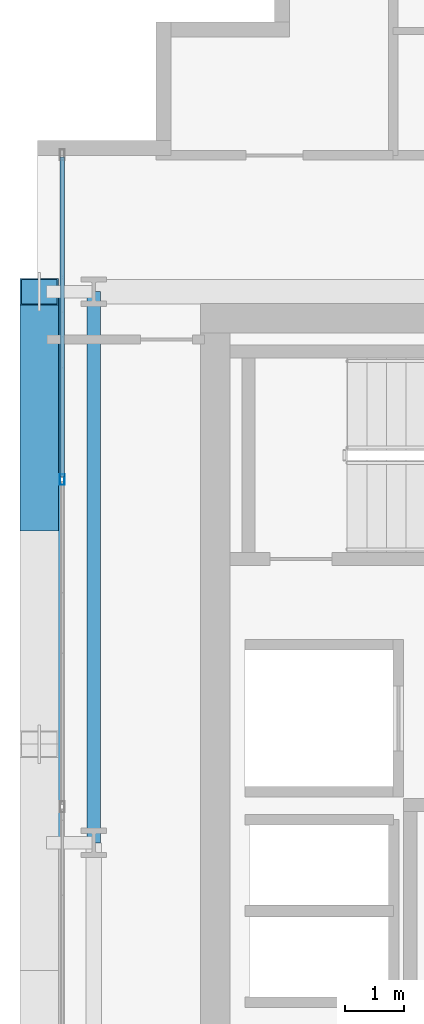
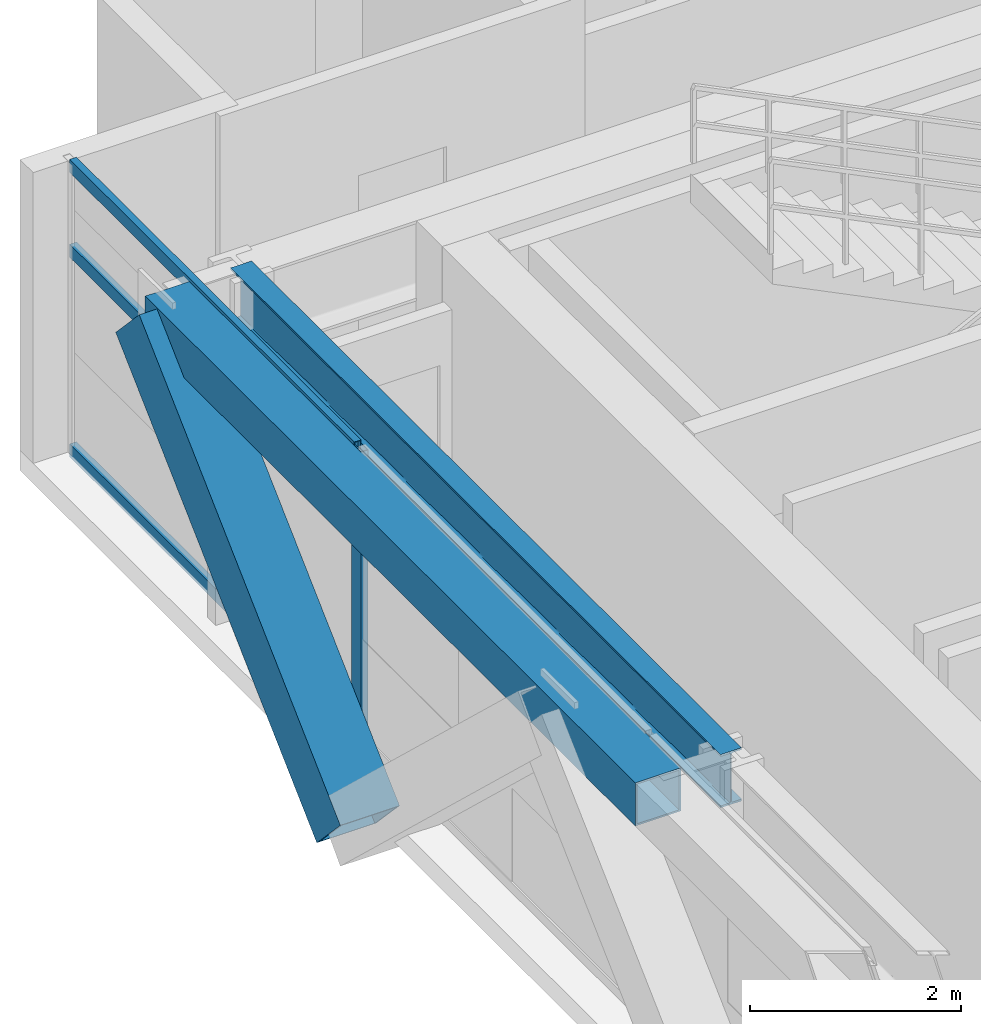
# One storey, part 8 of 32: 5 members, 2 beams, 1 element without a shape of its own.
"""IFC4 building model written with IfcOpenShell, lengths in metres."""

from ifc_helpers import new_model, si_unit, direction, frame, origin, origin_2d, place, context, subcontext, project, spatial, hollow_rectangle, i_section, extrude, source, transform, mapped, material, layer, layer_set, material_profile, profile_set, type_object, element, aggregate, save


model = new_model("IFC4")

# Units and contexts
model_context = context("Model", 3, precision=1e-05, world=origin(), true_north=direction((0.0, 1.0)))
body_context = subcontext(model_context, "Body", "Model", "MODEL_VIEW")
ifc_project = project(units=[si_unit("LENGTHUNIT", "METRE"), si_unit("AREAUNIT", "SQUARE_METRE"), si_unit("VOLUMEUNIT", "CUBIC_METRE"), si_unit("PLANEANGLEUNIT", "RADIAN"), si_unit("MASSUNIT", "GRAM", prefix="KILO")], contexts=[model_context])

# Site, building, storey
site_placement = place(None, origin())
site = spatial("IfcSite", under=ifc_project, at=site_placement, CompositionType="ELEMENT")
building_placement = place(site_placement, origin())
building = spatial("IfcBuilding", under=site, at=building_placement, Name="Ocotamira Hotel", CompositionType="ELEMENT")
storey_placement = place(building_placement, frame((0.0, 0.0, 213.60009765625)))
storey = spatial("IfcBuildingStorey", under=building, at=storey_placement, Name="L54", CompositionType="ELEMENT", Elevation=213.60009765625)

# Beams
ifc_material_1 = material(Name="Steel ASTM A992 Grade 50", Category="steel")
ifc_material_profile_1 = material_profile(ifc_material_1, i_section(OverallWidth=0.22998046875, OverallDepth=0.616943359375, WebThickness=0.01318359375, FlangeThickness=0.022216796875, FilletRadius=0.012939453125, at=origin_2d()), Name="W24X94")
ifc_profile_set_1 = profile_set([ifc_material_profile_1], Name="Steel ASTM A992 Grade 50")
beam_type_1 = type_object("IfcBeamType", Name="BM-PRIM-W24X94", PredefinedType="BEAM", material=ifc_profile_set_1)
shared_shape_1 = source(origin(), body_context, "Body", "SweptSolid", [
    extrude(i_section(OverallWidth=0.22998046875, OverallDepth=0.616943359375, WebThickness=0.01318359375, FlangeThickness=0.022216796875, FilletRadius=0.012939453125, at=origin_2d()), origin(), (0.0, 0.0, 1.0), 9.300048828125),
])
beam_1_placement = place(storey_placement, frame((8.949951171875, 28.14990234375, 3.0615234375), z_axis=(0.0, 1.0, 0.0), x_axis=(-1.0, 0.0, 0.0)))
element("IfcBeam", 1, at=beam_1_placement, inside=storey, type_object=beam_type_1, Name="L54 Beam X8.95 Y28.15-37.45", PredefinedType="BEAM", context=body_context, shape_type="MappedRepresentation", body=[
    mapped(shared_shape_1, transform((0.0, 0.0, 0.0), scale=1.0)),
])
ifc_material_2 = material(Name="Steel ASTM A500 Grade C", Category="steel")
ifc_material_profile_2 = material_profile(ifc_material_2, hollow_rectangle(XDim=0.5, YDim=0.5, WallThickness=0.02001953125, at=origin_2d()), Name="HSS500X500X20")
ifc_profile_set_2 = profile_set([ifc_material_profile_2], Name="Steel ASTM A500 Grade C")
beam_type_2 = type_object("IfcBeamType", Name="BM-SPAN-HSS500", PredefinedType="USERDEFINED", material=ifc_profile_set_2)
shared_shape_2 = source(origin(), body_context, "Body", "SweptSolid", [
    extrude(hollow_rectangle(XDim=0.5, YDim=0.5, WallThickness=0.02001953125, at=origin_2d()), origin(), (0.0, 0.0, 1.0), 9.300048828125),
])
beam_2_placement = place(storey_placement, frame((8.14990234375, 28.14990234375, 3.119873046875), z_axis=(0.0, 1.0, 0.0), x_axis=(-1.0, 0.0, 0.0)))
element("IfcBeam", 2, at=beam_2_placement, inside=storey, type_object=beam_type_2, Name="L54 Edge Spandrel W Y28.15-37.45", ObjectType="SPANDREL", PredefinedType="USERDEFINED", context=body_context, shape_type="MappedRepresentation", body=[
    mapped(shared_shape_2, transform((0.0, 0.0, 0.0), scale=1.0)),
])

# Member
ifc_material_3 = material(Name="Pale-metal coated steel ASTM A913 Grade 65", Category="steel")
ifc_material_profile_3 = material_profile(ifc_material_3, hollow_rectangle(XDim=0.64990234375, YDim=0.64990234375, WallThickness=0.02197265625, at=origin_2d()), Name="BOX650X650X22")
ifc_profile_set_3 = profile_set([ifc_material_profile_3], Name="Pale-metal coated steel ASTM A913 Grade 65")
member_type_1 = type_object("IfcMemberType", Name="MEM-EXO-BOX650", PredefinedType="BRACE", material=ifc_profile_set_3)
shared_shape_3 = source(origin(), body_context, "Body", "SweptSolid", [
    extrude(hollow_rectangle(XDim=0.64990234375, YDim=0.64990234375, WallThickness=0.02197265625, at=origin_2d()), origin(), (0.0, 0.0, 1.0), 5.24658203125),
])
member_1_placement = place(storey_placement, frame((8.030029296875, 33.63330078125, -0.47998046875), z_axis=(0.0, 0.72746596067, 0.686143772154), x_axis=(-1.0, 0.0, 0.0)))
element("IfcMember", 3, at=member_1_placement, inside=storey, type_object=member_type_1, Name="L54 Exoskeleton Diagrid W2.2", PredefinedType="BRACE", context=body_context, shape_type="MappedRepresentation", body=[
    mapped(shared_shape_3, transform((0.0, 0.0, 0.0), scale=1.0)),
])

# Curtain wall, members
ifc_material_4 = material(Name="Anodised pale-metal aluminium and solar glass", Category="aluminium")
ifc_layer = layer(ifc_material_4, 0.199951171875)
ifc_layer_set = layer_set([ifc_layer], Name="Anodised pale-metal aluminium and solar glass")
curtain_wall_type = type_object("IfcCurtainWallType", Name="CW-SYS4-Z3", PredefinedType="NOTDEFINED", material=ifc_layer_set)
curtain_wall_placement = place(storey_placement, origin())
curtain_wall = element("IfcCurtainWall", 4, at=curtain_wall_placement, inside=storey, type_object=curtain_wall_type, Name="L54 Curtain Wall CW-4 CW-L54-W", PredefinedType="NOTDEFINED")
ifc_material_5 = material(Name="Anodised pale-metal aluminium 6063-T6", Category="aluminium")
ifc_material_profile_4 = material_profile(ifc_material_5, hollow_rectangle(XDim=0.074951171875, YDim=0.14990234375, WallThickness=0.006103515625, at=origin_2d()), Name="HSS150X75X6")
ifc_profile_set_4 = profile_set([ifc_material_profile_4], Name="Anodised pale-metal aluminium 6063-T6")
member_type_2 = type_object("IfcMemberType", Name="CWT-150X75", PredefinedType="USERDEFINED", material=ifc_profile_set_4)
shared_shape_4 = source(origin(), body_context, "Body", "SweptSolid", [
    extrude(hollow_rectangle(XDim=0.074951171875, YDim=0.14990234375, WallThickness=0.006103515625, at=origin_2d()), origin(), (0.0, 0.0, 1.0), 5.39990234375),
])
member_2_placement = place(storey_placement, frame((8.419921875, 34.320068359375, 0.037353515625), z_axis=(0.0, 1.0, 0.0), x_axis=(-1.0, 0.0, 0.0)))
member_2 = element("IfcMember", 5, at=member_2_placement, type_object=member_type_2, Name="CW-4 transom 5.1", ObjectType="TRANSOM", PredefinedType="USERDEFINED", context=body_context, shape_type="MappedRepresentation", body=[
    mapped(shared_shape_4, transform((0.0, 0.0, 0.0), scale=1.0)),
])
member_3_placement = place(storey_placement, frame((8.419921875, 34.320068359375, 2.349853515625), z_axis=(0.0, 1.0, 0.0), x_axis=(-1.0, 0.0, 0.0)))
member_3 = element("IfcMember", 6, at=member_3_placement, type_object=member_type_2, Name="CW-4 transom 5.2", ObjectType="TRANSOM", PredefinedType="USERDEFINED", context=body_context, shape_type="MappedRepresentation", body=[
    mapped(shared_shape_4, transform((0.0, 0.0, 0.0), scale=1.0)),
])
member_4_placement = place(storey_placement, frame((8.419921875, 34.320068359375, 3.33251953125), z_axis=(0.0, 1.0, 0.0), x_axis=(-1.0, 0.0, 0.0)))
member_4 = element("IfcMember", 7, at=member_4_placement, type_object=member_type_2, Name="CW-4 transom 5.3", ObjectType="TRANSOM", PredefinedType="USERDEFINED", context=body_context, shape_type="MappedRepresentation", body=[
    mapped(shared_shape_4, transform((0.0, 0.0, 0.0), scale=1.0)),
])
ifc_material_profile_5 = material_profile(ifc_material_5, hollow_rectangle(XDim=0.080078125, YDim=0.179931640625, WallThickness=0.006103515625, at=origin_2d()), Name="HSS180X80X6")
ifc_profile_set_5 = profile_set([ifc_material_profile_5], Name="Anodised pale-metal aluminium 6063-T6")
member_type_3 = type_object("IfcMemberType", Name="CWM-180X75", PredefinedType="MULLION", material=ifc_profile_set_5)
shared_shape_5 = source(origin(), body_context, "Body", "SweptSolid", [
    extrude(hollow_rectangle(XDim=0.080078125, YDim=0.179931640625, WallThickness=0.006103515625, at=origin_2d()), origin(), (0.0, 0.0, 1.0), 3.369873046875),
])
member_5_placement = place(storey_placement, frame((8.419921875, 34.280029296875, 0.0), z_axis=(0.0, 0.0, 1.0), x_axis=(-1.0, 0.0, 0.0)))
member_5 = element("IfcMember", 8, at=member_5_placement, type_object=member_type_3, Name="CW-4 mullion 5", PredefinedType="MULLION", context=body_context, shape_type="MappedRepresentation", body=[
    mapped(shared_shape_5, transform((0.0, 0.0, 0.0), scale=1.0)),
])
aggregate(curtain_wall, [member_5, member_2, member_3, member_4])

save(model, "model.ifc")
